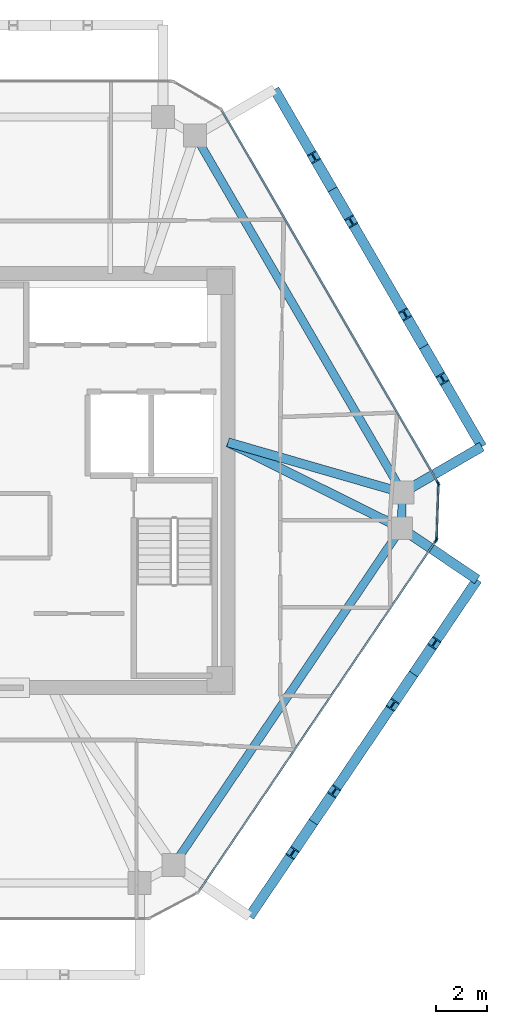
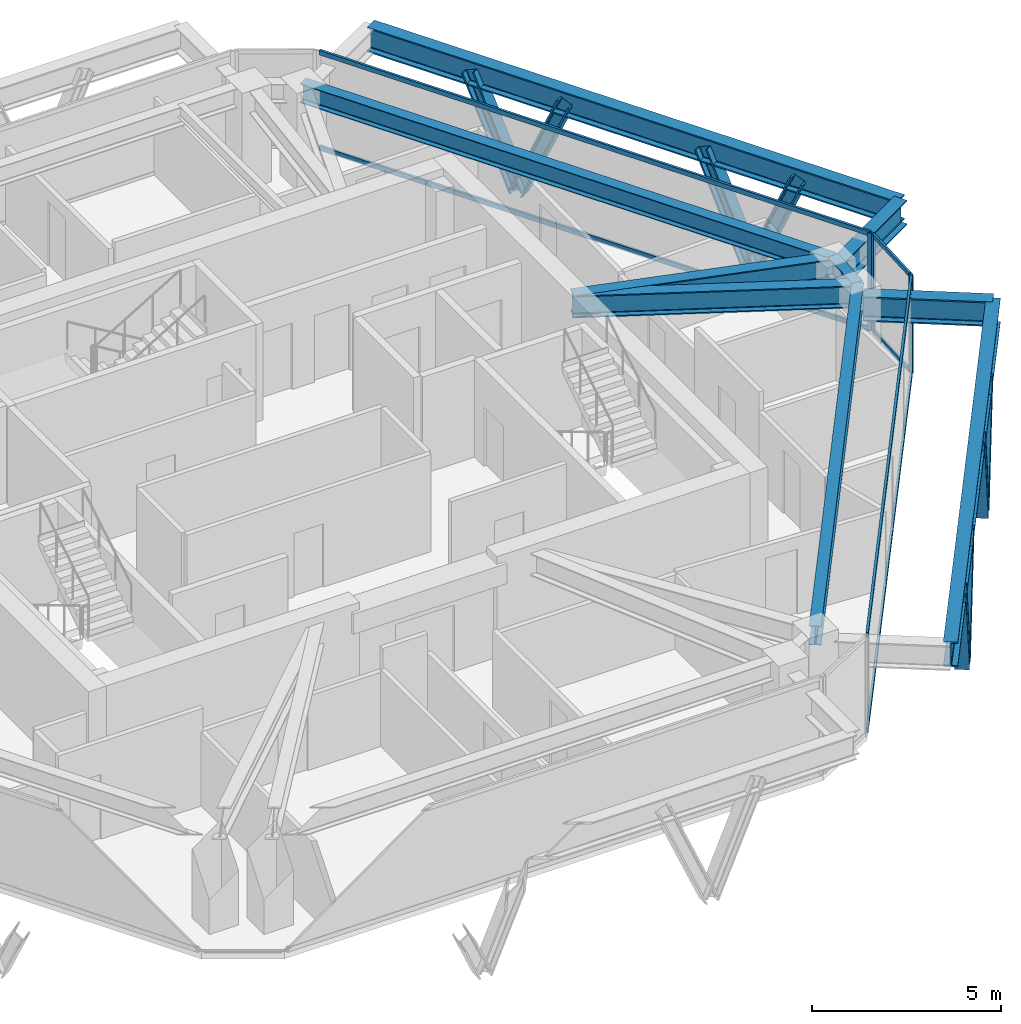
# One storey, part 5 of 11: 18 members, 9 beams, 3 elements without a shape of their own.
"""IFC4 building model written with IfcOpenShell, lengths in metres."""

import ifcopenshell
import ifcopenshell.guid

model = None  # the IFC model being written
_history = None  # IfcOwnerHistory: only IFC2X3 demands one
_inside = {}  # id of a spatial element -> (the spatial element, [elements in it])
_under = {}  # id of a project, library or spatial element -> (it, [spatial elements below it])
_declared = {}  # id of a project -> (the project, [libraries it declares])
_typed = {}  # id of a type object -> (the type object, [elements of that type])
_made_of = {}  # id of a material, layer set ... -> (it, [elements and type objects made of it])


def new_model(schema):
    """Start an empty IFC model of exactly this schema.

    Asked for "IFC4X3", IfcOpenShell would pick the latest addendum, in which some entities
    have other attributes; the version numbers below select the first issue.
    IFC2X3 requires an IfcOwnerHistory on every rooted entity: one is made here for all.
    """
    global model, _history
    if schema == "IFC4X3":
        model = ifcopenshell.file(schema_version=(4, 3, 0, 0))
    else:
        model = ifcopenshell.file(schema=schema)
    _inside.clear()
    _under.clear()
    _declared.clear()
    _typed.clear()
    _made_of.clear()
    _history = None
    if model.schema == "IFC2X3":
        org = make("IfcOrganization", Name="unknown")
        user = make(
            "IfcPersonAndOrganization",
            ThePerson=make("IfcPerson", FamilyName="unknown"),
            TheOrganization=org,
        )
        app = make(
            "IfcApplication",
            ApplicationDeveloper=org,
            Version="unknown",
            ApplicationFullName="unknown",
            ApplicationIdentifier="unknown",
        )
        _history = make(
            "IfcOwnerHistory",
            OwningUser=user,
            OwningApplication=app,
            ChangeAction="ADDED",
            CreationDate=0,
        )
    return model


def make(cls, **values):
    """One entity of the class cls with the attributes given. An attribute that is None is left unset."""
    return model.create_entity(
        cls, **{name: value for name, value in values.items() if value is not None}
    )


def rooted(cls, **values):
    """An entity with a GlobalId (a new one), such as an element, a storey or a relation."""
    return make(cls, GlobalId=ifcopenshell.guid.new(), OwnerHistory=_history, **values)


def si_unit(unit_type, name, prefix=None):
    """IfcSIUnit, for example si_unit("LENGTHUNIT", "METRE", prefix="MILLI")."""
    return make("IfcSIUnit", UnitType=unit_type, Prefix=prefix, Name=name)


def assignment(units):
    """IfcUnitAssignment: the units of a project."""
    return None if units is None else make("IfcUnitAssignment", Units=units)


def point(xyz):
    """IfcCartesianPoint."""
    return None if xyz is None else make("IfcCartesianPoint", Coordinates=xyz)


def direction(xyz):
    """IfcDirection."""
    return None if xyz is None else make("IfcDirection", DirectionRatios=xyz)


def frame(location, z_axis=None, x_axis=None):
    """IfcAxis2Placement3D, a coordinate frame: its origin and axes. An axis left out is left unset."""
    return make(
        "IfcAxis2Placement3D",
        Location=point(location),
        Axis=direction(z_axis),
        RefDirection=direction(x_axis),
    )


def frame_2d(location, x_axis=None):
    """IfcAxis2Placement2D, a coordinate frame in the plane: its origin and x axis."""
    return make(
        "IfcAxis2Placement2D", Location=point(location), RefDirection=direction(x_axis)
    )


def origin():
    """The frame at (0, 0, 0) with its axes left unset."""
    return frame((0.0, 0.0, 0.0))


def origin_2d():
    """The frame at (0, 0) in the plane with its x axis left unset."""
    return frame_2d((0.0, 0.0))


def place(relative_to, where):
    """IfcLocalPlacement: puts the frame where relative to a parent placement (None: the world)."""
    return make(
        "IfcLocalPlacement", PlacementRelTo=relative_to, RelativePlacement=where
    )


def context(
    kind, dimensions, precision=None, world=None, true_north=None, identifier=None
):
    """IfcGeometricRepresentationContext, for example the 3D "Model" context."""
    return make(
        "IfcGeometricRepresentationContext",
        ContextIdentifier=identifier,
        ContextType=kind,
        CoordinateSpaceDimension=dimensions,
        Precision=precision,
        WorldCoordinateSystem=world,
        TrueNorth=true_north,
    )


def subcontext(parent, identifier, kind, view, scale=None):
    """IfcGeometricRepresentationSubContext, for example "Body" below "Model"."""
    return make(
        "IfcGeometricRepresentationSubContext",
        ContextIdentifier=identifier,
        ContextType=kind,
        ParentContext=parent,
        TargetScale=scale,
        TargetView=view,
    )


def project(units=None, contexts=None):
    """IfcProject with its units and contexts."""
    return rooted(
        "IfcProject",
        Name="project",
        RepresentationContexts=contexts,
        UnitsInContext=assignment(units),
    )


def spatial(cls, under=None, at=None, **own):
    """A site, building, storey or space (cls), placed at a placement, below another one or the project."""
    s = rooted(cls, ObjectPlacement=at, **own)
    if under is not None:
        _under.setdefault(under.id(), (under, []))[1].append(s)
    return s


def profile(cls, at=None, kind="AREA", **sizes):
    """A parametric profile (cls). Its sizes go by their IFC names, for example OverallWidth=200.0."""
    return make(cls, ProfileType=kind, Position=at, **sizes)


def rectangle(**sizes):
    """IfcRectangleProfileDef."""
    return profile("IfcRectangleProfileDef", **sizes)


def i_section(**sizes):
    """IfcIShapeProfileDef."""
    return profile("IfcIShapeProfileDef", **sizes)


def extrude(swept, where, along, depth):
    """IfcExtrudedAreaSolid: the profile swept, set in the frame where, extruded along a direction by depth."""
    return make(
        "IfcExtrudedAreaSolid",
        SweptArea=swept,
        Position=where,
        ExtrudedDirection=direction(along),
        Depth=depth,
    )


def shape(context_of_items, identifier, shape_type, items):
    """IfcShapeRepresentation: the items that make up one representation, for example the "Body"."""
    return make(
        "IfcShapeRepresentation",
        ContextOfItems=context_of_items,
        RepresentationIdentifier=identifier,
        RepresentationType=shape_type,
        Items=items,
    )


def source(mapping_origin, context_of_items, identifier, shape_type, items):
    """IfcRepresentationMap: a shape defined once, which mapped items show again and again."""
    return make(
        "IfcRepresentationMap",
        MappingOrigin=mapping_origin,
        MappedRepresentation=shape(context_of_items, identifier, shape_type, items),
    )


def transform(
    local_origin,
    x_axis=None,
    y_axis=None,
    z_axis=None,
    scale=None,
    scale2=None,
    scale3=None,
    uniform=True,
):
    """IfcCartesianTransformationOperator3D, or its non-uniform kind. x_axis, y_axis, z_axis: its Axis1, 2, 3."""
    if uniform:
        return make(
            "IfcCartesianTransformationOperator3D",
            Axis1=direction(x_axis),
            Axis2=direction(y_axis),
            LocalOrigin=point(local_origin),
            Scale=scale,
            Axis3=direction(z_axis),
        )
    return make(
        "IfcCartesianTransformationOperator3DnonUniform",
        Axis1=direction(x_axis),
        Axis2=direction(y_axis),
        LocalOrigin=point(local_origin),
        Scale=scale,
        Axis3=direction(z_axis),
        Scale2=scale2,
        Scale3=scale3,
    )


def mapped(mapping_source, mapping_target):
    """IfcMappedItem: shows the shape of a source again, moved by a transform."""
    return make(
        "IfcMappedItem", MappingSource=mapping_source, MappingTarget=mapping_target
    )


def material(Name=None, Category=None):
    """IfcMaterial."""
    return make("IfcMaterial", Name=Name, Category=Category)


def layer(
    of_material, thickness, ventilated=None, Name=None, Category=None, Priority=None
):
    """IfcMaterialLayer: one layer of a wall or slab, of a material (None: an air gap)."""
    return make(
        "IfcMaterialLayer",
        Material=of_material,
        LayerThickness=thickness,
        IsVentilated=ventilated,
        Name=Name,
        Category=Category,
        Priority=Priority,
    )


def layer_set(layers, Name=None):
    """IfcMaterialLayerSet."""
    return make("IfcMaterialLayerSet", MaterialLayers=layers, LayerSetName=Name)


def material_profile(
    of_material, cross_section, Name=None, Category=None, Priority=None
):
    """IfcMaterialProfile: a cross section and its material."""
    return make(
        "IfcMaterialProfile",
        Name=Name,
        Material=of_material,
        Profile=cross_section,
        Priority=Priority,
        Category=Category,
    )


def profile_set(profiles, Name=None, composite=None):
    """IfcMaterialProfileSet."""
    return make(
        "IfcMaterialProfileSet",
        Name=Name,
        MaterialProfiles=profiles,
        CompositeProfile=composite,
    )


def made_of(thing, what):
    """Note that an element or type object is made of a material, layer set ...; save() writes the relation."""
    if what is not None:
        _made_of.setdefault(what.id(), (what, []))[1].append(thing)
    return thing


def type_object(cls, material=None, **own):
    """A type object (cls), such as IfcWallType, which elements share."""
    return made_of(rooted(cls, **own), material)


def type_shapes(of_type, sources):
    """Give a type object the sources (RepresentationMaps) that its elements show as mapped items."""
    of_type.RepresentationMaps = sources


def element(
    cls,
    number,
    at=None,
    inside=None,
    cuts=None,
    type_object=None,
    material=None,
    context=None,
    identifier="Body",
    shape_type=None,
    held_by="IfcProductDefinitionShape",
    body=None,
    shapes=None,
    **own,
):
    """One element of the class cls, such as IfcWall. Its Tag is "e" and its number.

    at: its placement. inside: the storey or other place that contains it. cuts: it is an
    opening in that element (IfcRelVoidsElement). A single representation is given by context,
    identifier, shape_type and body (its items); several are given by shapes. held_by: the class
    of the entity that holds the representations. save() writes the other relations.
    """
    e = rooted(cls, Tag="e%d" % number, ObjectPlacement=at, **own)
    if body is not None:
        shapes = [shape(context, identifier, shape_type, body)]
    if shapes is not None:
        e.Representation = make(held_by, Representations=shapes)
    if inside is not None:
        _inside.setdefault(inside.id(), (inside, []))[1].append(e)
    if cuts is not None:
        rooted(
            "IfcRelVoidsElement", RelatingBuildingElement=cuts, RelatedOpeningElement=e
        )
    if type_object is not None:
        _typed.setdefault(type_object.id(), (type_object, []))[1].append(e)
    return made_of(e, material)


def aggregate(whole, parts):
    """IfcRelAggregates: a whole, such as a stair, and the parts it consists of."""
    return rooted("IfcRelAggregates", RelatingObject=whole, RelatedObjects=parts)


def save(model, path):
    """Write the relations noted so far, then the file.

    IfcRelAggregates (storeys below a building ...), IfcRelContainedInSpatialStructure (elements
    in a storey), IfcRelDefinesByType, IfcRelAssociatesMaterial and IfcRelDeclares: one each for
    every whole, place, type object, material and project.
    """
    for whole, parts in _under.values():
        aggregate(whole, parts)
    for where, things in _inside.values():
        rooted(
            "IfcRelContainedInSpatialStructure",
            RelatedElements=things,
            RelatingStructure=where,
        )
    for kind, things in _typed.values():
        rooted("IfcRelDefinesByType", RelatedObjects=things, RelatingType=kind)
    for what, things in _made_of.values():
        rooted("IfcRelAssociatesMaterial", RelatedObjects=things, RelatingMaterial=what)
    for by, libraries in _declared.values():
        rooted("IfcRelDeclares", RelatingContext=by, RelatedDefinitions=libraries)
    model.write(path)


model = new_model("IFC4")

# Units and contexts
model_context = context("Model", 3, precision=1e-05, world=origin(), true_north=direction((0.0, 1.0)))
body_context = subcontext(model_context, "Body", "Model", "MODEL_VIEW")
ifc_project = project(units=[si_unit("LENGTHUNIT", "METRE"), si_unit("AREAUNIT", "SQUARE_METRE"), si_unit("VOLUMEUNIT", "CUBIC_METRE"), si_unit("PLANEANGLEUNIT", "RADIAN"), si_unit("MASSUNIT", "GRAM", prefix="KILO")], contexts=[model_context])

# Site, building, storey
site_placement = place(None, origin())
site = spatial("IfcSite", under=ifc_project, at=site_placement, CompositionType="ELEMENT")
building_placement = place(site_placement, origin())
building = spatial("IfcBuilding", under=site, at=building_placement, Name="Durnholm Broadcast Tower", CompositionType="ELEMENT")
storey_placement = place(building_placement, frame((0.0, 0.0, 251.300048828125)))
storey = spatial("IfcBuildingStorey", under=building, at=storey_placement, Name="L70", CompositionType="ELEMENT", Elevation=251.300048828125)

# Beams
ifc_material_1 = material(Name="Steel ASTM A992 Grade 50", Category="steel")
ifc_material_profile_1 = material_profile(ifc_material_1, i_section(OverallWidth=0.385009765625, OverallDepth=0.802978515625, WebThickness=0.023681640625, FlangeThickness=0.0419921875, FilletRadius=0.032958984375, at=origin_2d()), Name="W30X261")
ifc_profile_set_1 = profile_set([ifc_material_profile_1], Name="Steel ASTM A992 Grade 50")
beam_type_1 = type_object("IfcBeamType", Name="BM-EXO-TIE", PredefinedType="USERDEFINED", material=ifc_profile_set_1)
shared_shape_1 = source(origin(), body_context, "Body", "SweptSolid", [
    extrude(i_section(OverallWidth=0.385009765625, OverallDepth=0.802978515625, WebThickness=0.023681640625, FlangeThickness=0.0419921875, FilletRadius=0.032958984375, at=origin_2d()), origin(), (0.0, 0.0, 1.0), 3.4560546875),
])
beam_1_placement = place(storey_placement, frame((17.0947265625, -0.40380859375, 2.408447265625), z_axis=(0.864924479231, 0.501902027518, 0.0), x_axis=(-0.501902027518, 0.864924479231, 0.0)))
element("IfcBeam", 1, at=beam_1_placement, inside=storey, type_object=beam_type_1, Name="L70 exoskeleton stand-off tie bracket F3.1", ObjectType="GIRDER", PredefinedType="USERDEFINED", context=body_context, shape_type="MappedRepresentation", body=[
    mapped(shared_shape_1, transform((0.0, 0.0, 0.0), x_axis=(1.0, 0.0, 0.0), y_axis=(0.0, 1.0, 0.0), z_axis=(0.0, 0.0, 1.0), scale=1.0)),
])
shared_shape_2 = source(origin(), body_context, "Body", "SweptSolid", [
    extrude(i_section(OverallWidth=0.385009765625, OverallDepth=0.802978515625, WebThickness=0.023681640625, FlangeThickness=0.0419921875, FilletRadius=0.032958984375, at=origin_2d()), origin(), (0.0, 0.0, 1.0), 3.455810546875),
])
beam_2_placement = place(storey_placement, frame((17.041748046875, -1.95068359375, 2.408447265625), z_axis=(0.828446342252, -0.560068440469, 0.0), x_axis=(0.560068440469, 0.828446342252, 0.0)))
element("IfcBeam", 2, at=beam_2_placement, inside=storey, type_object=beam_type_1, Name="L70 exoskeleton stand-off tie bracket F2.2", ObjectType="GIRDER", PredefinedType="USERDEFINED", context=body_context, shape_type="MappedRepresentation", body=[
    mapped(shared_shape_2, transform((0.0, 0.0, 0.0), x_axis=(1.0, 0.0, 0.0), y_axis=(0.0, 1.0, 0.0), z_axis=(0.0, 0.0, 1.0), scale=1.0)),
])
ifc_material_profile_2 = material_profile(ifc_material_1, i_section(OverallWidth=0.3251953125, OverallDepth=0.6162109375, WebThickness=0.013916015625, FlangeThickness=0.021484375, FilletRadius=0.02783203125, at=origin_2d()), Name="W24X117")
ifc_profile_set_2 = profile_set([ifc_material_profile_2], Name="Steel ASTM A992 Grade 50")
beam_type_2 = type_object("IfcBeamType", Name="STL-SP-W24X117", PredefinedType="SPANDREL", material=ifc_profile_set_2)
shared_shape_3 = source(origin(), body_context, "Body", "SweptSolid", [
    extrude(i_section(OverallWidth=0.3251953125, OverallDepth=0.6162109375, WebThickness=0.013916015625, FlangeThickness=0.021484375, FilletRadius=0.02783203125, at=origin_2d()), origin(), (0.0, 0.0, 1.0), 1.39453125),
])
beam_3_placement = place(storey_placement, frame((16.97021484375, -0.47607421875, 2.8369140625), z_axis=(-0.034311541846, -0.999411185697, 0.0), x_axis=(0.999411185697, -0.034311541846, 0.0)))
element("IfcBeam", 3, at=beam_3_placement, inside=storey, type_object=beam_type_2, Name="L70 perimeter spandrel girder 08", PredefinedType="SPANDREL", context=body_context, shape_type="MappedRepresentation", body=[
    mapped(shared_shape_3, transform((0.0, 0.0, 0.0), x_axis=(1.0, 0.0, 0.0), y_axis=(0.0, 1.0, 0.0), z_axis=(0.0, 0.0, 1.0), scale=1.0)),
])
shared_shape_4 = source(origin(), body_context, "Body", "SweptSolid", [
    extrude(i_section(OverallWidth=0.3251953125, OverallDepth=0.6162109375, WebThickness=0.013916015625, FlangeThickness=0.021484375, FilletRadius=0.02783203125, at=origin_2d()), origin(), (0.0, 0.0, 1.0), 15.947265625),
])
beam_4_placement = place(storey_placement, frame((16.92236328125, -1.869873046875, 2.8369140625), z_axis=(-0.560062212489, -0.828450552623, 0.0), x_axis=(0.828450552623, -0.560062212489, 0.0)))
element("IfcBeam", 4, at=beam_4_placement, inside=storey, type_object=beam_type_2, Name="L70 perimeter spandrel girder 09", PredefinedType="SPANDREL", context=body_context, shape_type="MappedRepresentation", body=[
    mapped(shared_shape_4, transform((0.0, 0.0, 0.0), x_axis=(1.0, 0.0, 0.0), y_axis=(0.0, 1.0, 0.0), z_axis=(0.0, 0.0, 1.0), scale=1.0)),
])
shared_shape_5 = source(origin(), body_context, "Body", "SweptSolid", [
    extrude(i_section(OverallWidth=0.3251953125, OverallDepth=0.6162109375, WebThickness=0.013916015625, FlangeThickness=0.021484375, FilletRadius=0.02783203125, at=origin_2d()), origin(), (0.0, 0.0, 1.0), 16.20263671875),
])
type_shapes(beam_type_2, [shared_shape_3, shared_shape_4, shared_shape_5])
beam_5_placement = place(storey_placement, frame((8.83740234375, 13.53759765625, 2.8369140625), z_axis=(0.501943573333, -0.864900369516, 0.0), x_axis=(0.864900369516, 0.501943573333, 0.0)))
element("IfcBeam", 5, at=beam_5_placement, inside=storey, type_object=beam_type_2, Name="L70 perimeter spandrel girder 07", PredefinedType="SPANDREL", context=body_context, shape_type="MappedRepresentation", body=[
    mapped(shared_shape_5, transform((0.0, 0.0, 0.0), x_axis=(1.0, 0.0, 0.0), y_axis=(0.0, 1.0, 0.0), z_axis=(0.0, 0.0, 1.0), scale=1.0)),
])
shared_shape_6 = source(origin(), body_context, "Body", "SweptSolid", [
    extrude(i_section(OverallWidth=0.385009765625, OverallDepth=0.802978515625, WebThickness=0.023681640625, FlangeThickness=0.0419921875, FilletRadius=0.032958984375, at=origin_2d()), origin(), (0.0, 0.0, 1.0), 15.947021484375),
])
beam_6_placement = place(storey_placement, frame((10.973388671875, -17.097412109375, 2.408447265625), z_axis=(0.560069315853, 0.828445750451, 0.0), x_axis=(-0.828445750451, 0.560069315853, 0.0)))
element("IfcBeam", 6, at=beam_6_placement, inside=storey, type_object=beam_type_1, Name="L70 exoskeleton collector spandrel F2", PredefinedType="SPANDREL", context=body_context, shape_type="MappedRepresentation", body=[
    mapped(shared_shape_6, transform((0.0, 0.0, 0.0), x_axis=(1.0, 0.0, 0.0), y_axis=(0.0, 1.0, 0.0), z_axis=(0.0, 0.0, 1.0), scale=1.0)),
])
shared_shape_7 = source(origin(), body_context, "Body", "SweptSolid", [
    extrude(i_section(OverallWidth=0.385009765625, OverallDepth=0.802978515625, WebThickness=0.023681640625, FlangeThickness=0.0419921875, FilletRadius=0.032958984375, at=origin_2d()), origin(), (0.0, 0.0, 1.0), 16.202880859375),
])
type_shapes(beam_type_1, [shared_shape_1, shared_shape_2, shared_shape_6, shared_shape_7])
beam_7_placement = place(storey_placement, frame((20.083984375, 1.330810546875, 2.408447265625), z_axis=(-0.501948303381, 0.864897624423, 0.0), x_axis=(-0.864897624423, -0.501948303381, 0.0)))
element("IfcBeam", 7, at=beam_7_placement, inside=storey, type_object=beam_type_1, Name="L70 exoskeleton collector spandrel F3", PredefinedType="SPANDREL", context=body_context, shape_type="MappedRepresentation", body=[
    mapped(shared_shape_7, transform((0.0, 0.0, 0.0), x_axis=(1.0, 0.0, 0.0), y_axis=(0.0, 1.0, 0.0), z_axis=(0.0, 0.0, 1.0), scale=1.0)),
])
ifc_material_profile_3 = material_profile(ifc_material_1, i_section(OverallWidth=0.3564453125, OverallDepth=0.713623046875, WebThickness=0.01904296875, FlangeThickness=0.033935546875, FilletRadius=0.030517578125, at=origin_2d()), Name="W27X194")
ifc_profile_set_3 = profile_set([ifc_material_profile_3], Name="Steel ASTM A992 Grade 50")
beam_type_3 = type_object("IfcBeamType", Name="STL-GR-W27X194", PredefinedType="USERDEFINED", material=ifc_profile_set_3)
shared_shape_8 = source(origin(), body_context, "Body", "SweptSolid", [
    extrude(i_section(OverallWidth=0.3564453125, OverallDepth=0.713623046875, WebThickness=0.01904296875, FlangeThickness=0.033935546875, FilletRadius=0.030517578125, at=origin_2d()), origin(), (0.0, 0.0, 1.0), 7.124755859375),
])
beam_8_placement = place(storey_placement, frame((10.125, 1.5, 2.7880859375), z_axis=(0.960767767054, -0.277354101809, 0.0), x_axis=(0.277354101809, 0.960767767054, 0.0)))
element("IfcBeam", 8, at=beam_8_placement, inside=storey, type_object=beam_type_3, Name="L70 radial primary floor girder 08", ObjectType="GIRDER", PredefinedType="USERDEFINED", context=body_context, shape_type="MappedRepresentation", body=[
    mapped(shared_shape_8, transform((0.0, 0.0, 0.0), x_axis=(1.0, 0.0, 0.0), y_axis=(0.0, 1.0, 0.0), z_axis=(0.0, 0.0, 1.0), scale=1.0)),
])
shared_shape_9 = source(origin(), body_context, "Body", "SweptSolid", [
    extrude(i_section(OverallWidth=0.3564453125, OverallDepth=0.713623046875, WebThickness=0.01904296875, FlangeThickness=0.033935546875, FilletRadius=0.030517578125, at=origin_2d()), origin(), (0.0, 0.0, 1.0), 7.5869140625),
])
type_shapes(beam_type_3, [shared_shape_8, shared_shape_9])
beam_9_placement = place(storey_placement, frame((10.125, 1.5, 2.7880859375), z_axis=(0.895940903598, -0.444173273916, 0.0), x_axis=(0.444173273916, 0.895940903598, 0.0)))
element("IfcBeam", 9, at=beam_9_placement, inside=storey, type_object=beam_type_3, Name="L70 radial primary floor girder 09", ObjectType="GIRDER", PredefinedType="USERDEFINED", context=body_context, shape_type="MappedRepresentation", body=[
    mapped(shared_shape_9, transform((0.0, 0.0, 0.0), x_axis=(1.0, 0.0, 0.0), y_axis=(0.0, 1.0, 0.0), z_axis=(0.0, 0.0, 1.0), scale=1.0)),
])

# Members
ifc_material_2 = material(Name="Steel ASTM A913 Grade 65", Category="steel")
ifc_material_profile_4 = material_profile(ifc_material_2, i_section(OverallWidth=0.40625, OverallDepth=0.416015625, WebThickness=0.02978515625, FlangeThickness=0.048095703125, FilletRadius=0.030517578125, at=origin_2d()), Name="W14X257")
ifc_profile_set_4 = profile_set([ifc_material_profile_4], Name="Steel ASTM A913 Grade 65")
member_type_1 = type_object("IfcMemberType", Name="STL-DG-W14X257", PredefinedType="BRACE", material=ifc_profile_set_4)
shared_shape_10 = source(origin(), body_context, "Body", "SweptSolid", [
    extrude(i_section(OverallWidth=0.40625, OverallDepth=0.416015625, WebThickness=0.02978515625, FlangeThickness=0.048095703125, FilletRadius=0.030517578125, at=origin_2d()), origin(), (0.0, 0.0, 1.0), 3.699462890625),
])
type_shapes(member_type_1, [shared_shape_10])
for number, where, z_axis, x_axis, name in (
    (10, (13.47412109375, -13.398193359375, -0.991455078125), (-0.220747552847, -0.32660078895, 0.919022547367), (0.828505003222, -0.559981660089, 0.0), "L70 stand-off diagrid brace F2.D1.1"),
    (11, (13.47412109375, -13.398193359375, -0.991455078125), (0.220752310393, 0.326541833132, 0.919042354122), (-0.828452496411, 0.560059337206, 0.0), "L70 stand-off diagrid brace F2.D1.2"),
    (12, (17.404052734375, -7.585205078125, -0.991455078125), (-0.220747552847, -0.32660078895, 0.919022547367), (0.828505003222, -0.559981660089, 0.0), "L70 stand-off diagrid brace F2.D2.1"),
    (13, (17.404052734375, -7.585205078125, -0.991455078125), (0.220752310393, 0.326541833132, 0.919042354122), (-0.828452496411, 0.560059337206, 0.0), "L70 stand-off diagrid brace F2.D2.2"),
    (14, (17.806640625, 5.2548828125, -0.991455078125), (0.197850494882, -0.340925836077, 0.919034687033), (0.864906184135, 0.501933554014, 0.0), "L70 stand-off diagrid brace F3.D1.1"),
    (15, (17.806640625, 5.2548828125, -0.991455078125), (-0.197850494882, 0.340925836077, 0.919034687033), (-0.864906184135, -0.501933554014, 0.0), "L70 stand-off diagrid brace F3.D1.2"),
    (16, (14.228271484375, 11.4208984375, -0.991455078125), (0.197850494882, -0.340925836077, 0.919034687033), (0.864906184135, 0.501933554014, 0.0), "L70 stand-off diagrid brace F3.D2.1"),
    (17, (14.228271484375, 11.4208984375, -0.991455078125), (-0.197854946062, 0.340867510477, 0.919055363196), (-0.864863994925, -0.502006245263, 0.0), "L70 stand-off diagrid brace F3.D2.2"),
):
    element("IfcMember", number, at=place(storey_placement, frame(where, z_axis=z_axis, x_axis=x_axis)), inside=storey, type_object=member_type_1, Name=name, PredefinedType="BRACE", context=body_context, shape_type="MappedRepresentation", body=[
        mapped(shared_shape_10, transform((0.0, 0.0, 0.0), x_axis=(1.0, 0.0, 0.0), y_axis=(0.0, 1.0, 0.0), z_axis=(0.0, 0.0, 1.0), scale=1.0)),
    ])

# Curtain wall, members
ifc_material_3 = material(Name="Aluminium and Solar Control IGU", Category="aluminium")
ifc_layer_1 = layer(ifc_material_3, 0.1650390625)
ifc_layer_set_1 = layer_set([ifc_layer_1], Name="Aluminium and Solar Control IGU")
curtain_wall_type_1 = type_object("IfcCurtainWallType", Name="CW-SYS-5", PredefinedType="NOTDEFINED", material=ifc_layer_set_1)
curtain_wall_1_placement = place(storey_placement, origin())
curtain_wall_1 = element("IfcCurtainWall", 18, at=curtain_wall_1_placement, inside=storey, type_object=curtain_wall_type_1, Name="L70 curtain wall CW-CORNER CW-L70-CRN-07", PredefinedType="NOTDEFINED")
ifc_material_4 = material(Name="Aluminium 6063-T6", Category="aluminium")
ifc_material_profile_5 = material_profile(ifc_material_4, rectangle(XDim=0.06494140625, YDim=0.1298828125, at=origin_2d()), Name="CWT65X130")
ifc_profile_set_5 = profile_set([ifc_material_profile_5], Name="Aluminium 6063-T6")
member_type_2 = type_object("IfcMemberType", Name="CW-SYS-5-TRN", PredefinedType="USERDEFINED", material=ifc_profile_set_5)
shared_shape_11 = source(origin(), body_context, "Body", "SweptSolid", [
    extrude(rectangle(XDim=0.06494140625, YDim=0.1298828125, at=origin_2d()), origin(), (0.0, 0.0, 1.0), 2.06982421875),
])
type_shapes(member_type_2, [shared_shape_11])
member_1_placement = place(storey_placement, frame((18.381103515625, -0.186767578125, 0.032470703125), z_axis=(-0.034324150719, -0.999410752733, 0.0), x_axis=(0.999410752733, -0.034324150719, 0.0)))
member_1 = element("IfcMember", 19, at=member_1_placement, type_object=member_type_2, Name="CW-CORNER transom 1.1", ObjectType="TRANSOM", PredefinedType="USERDEFINED", context=body_context, shape_type="MappedRepresentation", body=[
    mapped(shared_shape_11, transform((0.0, 0.0, 0.0), x_axis=(1.0, 0.0, 0.0), y_axis=(0.0, 1.0, 0.0), z_axis=(0.0, 0.0, 1.0), scale=1.0)),
])
member_2_placement = place(storey_placement, frame((18.381103515625, -0.186767578125, 3.12744140625), z_axis=(-0.034324150719, -0.999410752733, 0.0), x_axis=(0.999410752733, -0.034324150719, 0.0)))
member_2 = element("IfcMember", 20, at=member_2_placement, type_object=member_type_2, Name="CW-CORNER transom 1.2", ObjectType="TRANSOM", PredefinedType="USERDEFINED", context=body_context, shape_type="MappedRepresentation", body=[
    mapped(shared_shape_11, transform((0.0, 0.0, 0.0), x_axis=(1.0, 0.0, 0.0), y_axis=(0.0, 1.0, 0.0), z_axis=(0.0, 0.0, 1.0), scale=1.0)),
])

ifc_layer_2 = layer(ifc_material_3, 0.18994140625)
ifc_layer_set_2 = layer_set([ifc_layer_2], Name="Aluminium and Solar Control IGU")
curtain_wall_type_2 = type_object("IfcCurtainWallType", Name="CW-SYS-4", PredefinedType="NOTDEFINED", material=ifc_layer_set_2)
curtain_wall_2_placement = place(storey_placement, origin())
curtain_wall_2 = element("IfcCurtainWall", 21, at=curtain_wall_2_placement, inside=storey, type_object=curtain_wall_type_2, Name="L70 curtain wall CW-Z34-VIS CW-L70-F08", PredefinedType="NOTDEFINED")
ifc_material_profile_6 = material_profile(ifc_material_4, rectangle(XDim=0.070068359375, YDim=0.14990234375, at=origin_2d()), Name="CWT70X150")
ifc_profile_set_6 = profile_set([ifc_material_profile_6], Name="Aluminium 6063-T6")
member_type_3 = type_object("IfcMemberType", Name="CW-SYS-4-TRN", PredefinedType="USERDEFINED", material=ifc_profile_set_6)
shared_shape_12 = source(origin(), body_context, "Body", "SweptSolid", [
    extrude(rectangle(XDim=0.070068359375, YDim=0.14990234375, at=origin_2d()), origin(), (0.0, 0.0, 1.0), 16.55859375),
])
member_3_placement = place(storey_placement, frame((18.2685546875, -2.37841796875, 0.034912109375), z_axis=(-0.560071338091, -0.828444383317, 0.0), x_axis=(0.828444383317, -0.560071338091, 0.0)))
member_3 = element("IfcMember", 22, at=member_3_placement, type_object=member_type_3, Name="CW-Z34-VIS transom 1.1", ObjectType="TRANSOM", PredefinedType="USERDEFINED", context=body_context, shape_type="MappedRepresentation", body=[
    mapped(shared_shape_12, transform((0.0, 0.0, 0.0), x_axis=(1.0, 0.0, 0.0), y_axis=(0.0, 1.0, 0.0), z_axis=(0.0, 0.0, 1.0), scale=1.0)),
])
member_4_placement = place(storey_placement, frame((18.2685546875, -2.37841796875, 3.125), z_axis=(-0.560071338091, -0.828444383317, 0.0), x_axis=(0.828444383317, -0.560071338091, 0.0)))
member_4 = element("IfcMember", 23, at=member_4_placement, type_object=member_type_3, Name="CW-Z34-VIS transom 1.2", ObjectType="TRANSOM", PredefinedType="USERDEFINED", context=body_context, shape_type="MappedRepresentation", body=[
    mapped(shared_shape_12, transform((0.0, 0.0, 0.0), x_axis=(1.0, 0.0, 0.0), y_axis=(0.0, 1.0, 0.0), z_axis=(0.0, 0.0, 1.0), scale=1.0)),
])

curtain_wall_3_placement = place(storey_placement, origin())
curtain_wall_3 = element("IfcCurtainWall", 24, at=curtain_wall_3_placement, inside=storey, type_object=curtain_wall_type_2, Name="L70 curtain wall CW-Z34-VIS CW-L70-F06", PredefinedType="NOTDEFINED")
shared_shape_13 = source(origin(), body_context, "Body", "SweptSolid", [
    extrude(rectangle(XDim=0.070068359375, YDim=0.14990234375, at=origin_2d()), origin(), (0.0, 0.0, 1.0), 16.83984375),
])
type_shapes(member_type_3, [shared_shape_12, shared_shape_13])
member_5_placement = place(storey_placement, frame((9.8955078125, 14.503662109375, 0.034912109375), z_axis=(0.501945239029, -0.86489940283, 0.0), x_axis=(0.86489940283, 0.501945239029, 0.0)))
member_5 = element("IfcMember", 25, at=member_5_placement, type_object=member_type_3, Name="CW-Z34-VIS transom 1.1", ObjectType="TRANSOM", PredefinedType="USERDEFINED", context=body_context, shape_type="MappedRepresentation", body=[
    mapped(shared_shape_13, transform((0.0, 0.0, 0.0), x_axis=(1.0, 0.0, 0.0), y_axis=(0.0, 1.0, 0.0), z_axis=(0.0, 0.0, 1.0), scale=1.0)),
])
member_6_placement = place(storey_placement, frame((9.8955078125, 14.503662109375, 3.125), z_axis=(0.501945239029, -0.86489940283, 0.0), x_axis=(0.86489940283, 0.501945239029, 0.0)))
member_6 = element("IfcMember", 26, at=member_6_placement, type_object=member_type_3, Name="CW-Z34-VIS transom 1.2", ObjectType="TRANSOM", PredefinedType="USERDEFINED", context=body_context, shape_type="MappedRepresentation", body=[
    mapped(shared_shape_13, transform((0.0, 0.0, 0.0), x_axis=(1.0, 0.0, 0.0), y_axis=(0.0, 1.0, 0.0), z_axis=(0.0, 0.0, 1.0), scale=1.0)),
])

# Member
ifc_material_profile_7 = material_profile(ifc_material_4, rectangle(XDim=0.06494140625, YDim=0.1650390625, at=origin_2d()), Name="CWM65X165")
ifc_profile_set_7 = profile_set([ifc_material_profile_7], Name="Aluminium 6063-T6")
member_type_4 = type_object("IfcMemberType", Name="CW-SYS-5-MUL", PredefinedType="MULLION", material=ifc_profile_set_7)
shared_shape_14 = source(origin(), body_context, "Body", "SweptSolid", [
    extrude(rectangle(XDim=0.06494140625, YDim=0.1650390625, at=origin_2d()), origin(), (0.0, 0.0, 1.0), 3.159912109375),
])
type_shapes(member_type_4, [shared_shape_14])
member_7_placement = place(storey_placement, frame((18.382080078125, -0.154296875, 0.0), z_axis=(0.0, 0.0, 1.0), x_axis=(0.999410955514, -0.034318245849, 0.0)))
member_7 = element("IfcMember", 27, at=member_7_placement, type_object=member_type_4, Name="CW-CORNER mullion 1", PredefinedType="MULLION", context=body_context, shape_type="MappedRepresentation", body=[
    mapped(shared_shape_14, transform((0.0, 0.0, 0.0), x_axis=(1.0, 0.0, 0.0), y_axis=(0.0, 1.0, 0.0), z_axis=(0.0, 0.0, 1.0), scale=1.0)),
])

member_8_placement = place(storey_placement, frame((18.308837890625, -2.287841796875, 0.0), z_axis=(0.0, 0.0, 1.0), x_axis=(0.999410955514, -0.034318245849, 0.0)))
member_8 = element("IfcMember", 28, at=member_8_placement, type_object=member_type_4, Name="CW-CORNER mullion 2", PredefinedType="MULLION", context=body_context, shape_type="MappedRepresentation", body=[
    mapped(shared_shape_14, transform((0.0, 0.0, 0.0), x_axis=(1.0, 0.0, 0.0), y_axis=(0.0, 1.0, 0.0), z_axis=(0.0, 0.0, 1.0), scale=1.0)),
])

aggregate(curtain_wall_1, [member_7, member_8, member_1, member_2])

ifc_material_profile_8 = material_profile(ifc_material_4, rectangle(XDim=0.070068359375, YDim=0.18994140625, at=origin_2d()), Name="CWM70X190")
ifc_profile_set_8 = profile_set([ifc_material_profile_8], Name="Aluminium 6063-T6")
member_type_5 = type_object("IfcMemberType", Name="CW-SYS-4-MUL", PredefinedType="MULLION", material=ifc_profile_set_8)
shared_shape_15 = source(origin(), body_context, "Body", "SweptSolid", [
    extrude(rectangle(XDim=0.070068359375, YDim=0.18994140625, at=origin_2d()), origin(), (0.0, 0.0, 1.0), 3.159912109375),
])
type_shapes(member_type_5, [shared_shape_15])
member_9_placement = place(storey_placement, frame((18.36572265625, -0.09130859375, 0.0), z_axis=(0.0, 0.0, 1.0), x_axis=(0.864899883824, 0.50194441023, 0.0)))
member_9 = element("IfcMember", 29, at=member_9_placement, type_object=member_type_5, Name="CW-Z34-VIS mullion 2", PredefinedType="MULLION", context=body_context, shape_type="MappedRepresentation", body=[
    mapped(shared_shape_15, transform((0.0, 0.0, 0.0), x_axis=(1.0, 0.0, 0.0), y_axis=(0.0, 1.0, 0.0), z_axis=(0.0, 0.0, 1.0), scale=1.0)),
])

aggregate(curtain_wall_3, [member_9, member_5, member_6])

member_10_placement = place(storey_placement, frame((18.2880859375, -2.349365234375, 0.0), z_axis=(0.0, 0.0, 1.0), x_axis=(0.828443431662, -0.560072745753, 0.0)))
member_10 = element("IfcMember", 30, at=member_10_placement, type_object=member_type_5, Name="CW-Z34-VIS mullion 1", PredefinedType="MULLION", context=body_context, shape_type="MappedRepresentation", body=[
    mapped(shared_shape_15, transform((0.0, 0.0, 0.0), x_axis=(1.0, 0.0, 0.0), y_axis=(0.0, 1.0, 0.0), z_axis=(0.0, 0.0, 1.0), scale=1.0)),
])

aggregate(curtain_wall_2, [member_10, member_3, member_4])

save(model, "model.ifc")
